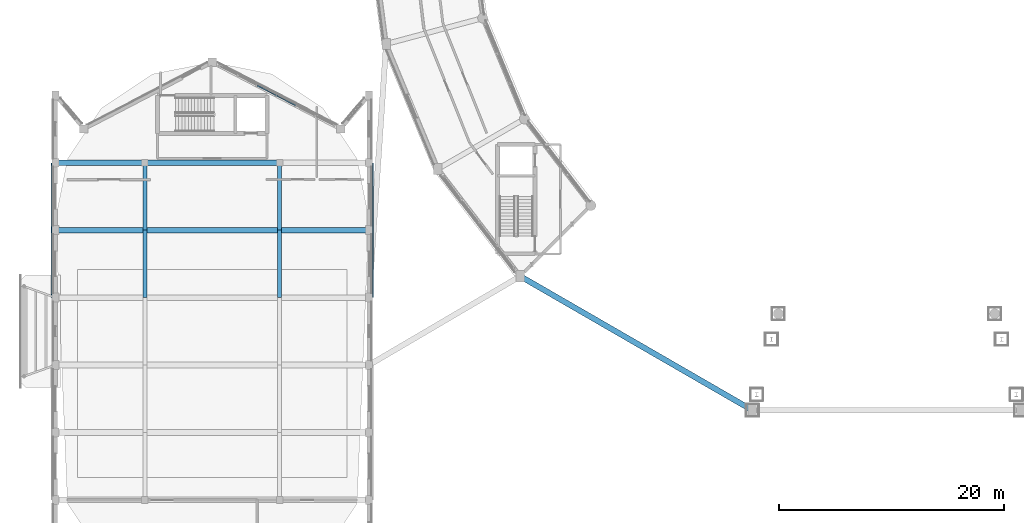
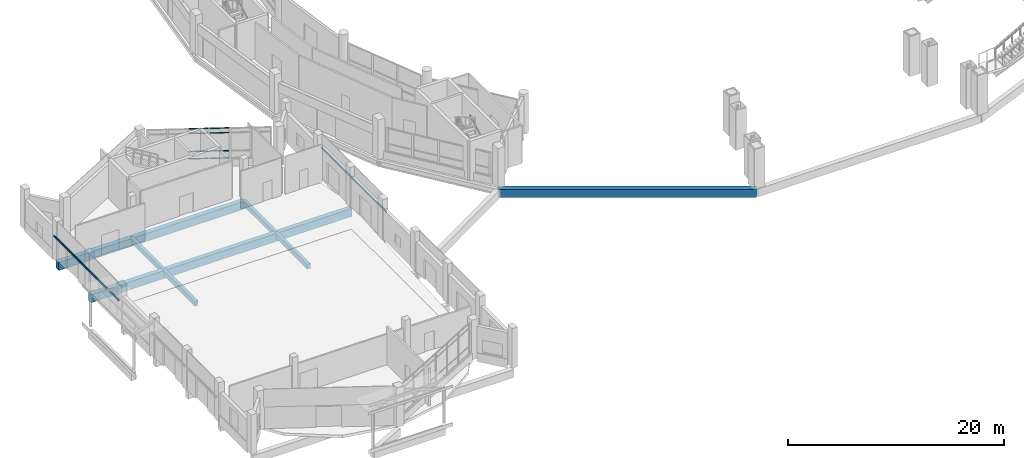
# One storey, part 23 of 129: 14 beams, 8 members, 1 element without a shape of its own.
"""IFC4 building model written with IfcOpenShell, lengths in metres."""

from ifc_helpers import new_model, si_unit, direction, frame, origin, origin_2d, place, context, subcontext, project, spatial, rectangle, hollow_rectangle, extrude, material, layer, layer_set, material_profile, profile_set, type_object, element, aggregate, save


model = new_model("IFC4")

# Units and contexts
model_context = context("Model", 3, precision=1e-05, world=origin(), true_north=direction((0.0, 1.0)))
body_context = subcontext(model_context, "Body", "Model", "MODEL_VIEW")
ifc_project = project(units=[si_unit("LENGTHUNIT", "METRE"), si_unit("AREAUNIT", "SQUARE_METRE"), si_unit("VOLUMEUNIT", "CUBIC_METRE"), si_unit("PLANEANGLEUNIT", "RADIAN"), si_unit("MASSUNIT", "GRAM", prefix="KILO")], contexts=[model_context])

# Site, building, storey
site_placement = place(None, origin())
site = spatial("IfcSite", under=ifc_project, at=site_placement, CompositionType="ELEMENT")
building_placement = place(site_placement, origin())
building = spatial("IfcBuilding", under=site, at=building_placement, Name="Vespera Passage Community Centre", CompositionType="ELEMENT")
storey_placement = place(building_placement, origin())
storey = spatial("IfcBuildingStorey", under=building, at=storey_placement, Name="L00", CompositionType="ELEMENT", Elevation=0.0)

# Beams
ifc_material_1 = material(Name="Concrete f'c 45 MPa", Category="concrete")
ifc_material_profile_1 = material_profile(ifc_material_1, rectangle(XDim=0.5, YDim=0.89990234375, at=origin_2d()), Name="RC500X900")
ifc_profile_set_1 = profile_set([ifc_material_profile_1], Name="Concrete f'c 45 MPa")
beam_type_1 = type_object("IfcBeamType", Name="BM-G-500X900", PredefinedType="BEAM", material=ifc_profile_set_1)
beam_1_placement = place(storey_placement, frame((4.050048828125, 37.0, -0.75), z_axis=(1.0, 0.0, 0.0), x_axis=(0.0, 1.0, 0.0)))
element("IfcBeam", 1, at=beam_1_placement, inside=storey, type_object=beam_type_1, Name="V1 L00 Floor Girder 6.1", PredefinedType="BEAM", context=body_context, shape_type="SweptSolid", body=[
    extrude(rectangle(XDim=0.5, YDim=0.89990234375, at=origin_2d()), origin(), (0.0, 0.0, 1.0), 7.949951171875),
])
beam_2_placement = place(storey_placement, frame((12.0, 37.0, -0.75), z_axis=(1.0, 0.0, 0.0), x_axis=(0.0, 1.0, 0.0)))
element("IfcBeam", 2, at=beam_2_placement, inside=storey, type_object=beam_type_1, Name="V1 L00 Floor Girder 6.2", PredefinedType="BEAM", context=body_context, shape_type="SweptSolid", body=[
    extrude(rectangle(XDim=0.5, YDim=0.89990234375, at=origin_2d()), origin(), (0.0, 0.0, 1.0), 12.0),
])
for number, where, z_axis, x_axis, name in (
    (3, (24.0, 37.0, -0.75), (1.0, 0.0, 0.0), (0.0, 1.0, 0.0), "V1 L00 Floor Girder 6.3"),
    (4, (4.050048828125, 43.0, -0.75), (1.0, 0.0, 0.0), (0.0, 1.0, 0.0), "V1 L00 Floor Girder 7.1"),
):
    element("IfcBeam", number, at=place(storey_placement, frame(where, z_axis=z_axis, x_axis=x_axis)), inside=storey, type_object=beam_type_1, Name=name, PredefinedType="BEAM", context=body_context, shape_type="SweptSolid", body=[
        extrude(rectangle(XDim=0.5, YDim=0.89990234375, at=origin_2d()), origin(), (0.0, 0.0, 1.0), 7.949951171875),
    ])
beam_3_placement = place(storey_placement, frame((12.0, 43.0, -0.75), z_axis=(1.0, 0.0, 0.0), x_axis=(0.0, 1.0, 0.0)))
element("IfcBeam", 5, at=beam_3_placement, inside=storey, type_object=beam_type_1, Name="V1 L00 Floor Girder 7.2", PredefinedType="BEAM", context=body_context, shape_type="SweptSolid", body=[
    extrude(rectangle(XDim=0.5, YDim=0.89990234375, at=origin_2d()), origin(), (0.0, 0.0, 1.0), 12.0),
])
beam_4_placement = place(storey_placement, frame((45.40234375, 32.90234375, -0.7900390625), z_axis=(0.866023390679, -0.500003486784, 0.0), x_axis=(0.500003486784, 0.866023390679, 0.0)))
element("IfcBeam", 6, at=beam_4_placement, inside=storey, type_object=beam_type_1, Name="Subgrade Structural Tie Girder 3", PredefinedType="BEAM", context=body_context, shape_type="SweptSolid", body=[
    extrude(rectangle(XDim=0.5, YDim=0.89990234375, at=origin_2d()), origin(), (0.0, 0.0, 1.0), 23.863037109375),
])
ifc_material_2 = material(Name="Concrete f'c 35 MPa", Category="concrete")
ifc_material_profile_2 = material_profile(ifc_material_2, rectangle(XDim=0.35009765625, YDim=0.550048828125, at=origin_2d()), Name="RC350X550")
ifc_profile_set_2 = profile_set([ifc_material_profile_2], Name="Concrete f'c 35 MPa")
beam_type_2 = type_object("IfcBeamType", Name="BM-J-350X550", PredefinedType="JOIST", material=ifc_profile_set_2)
for number, where, z_axis, x_axis, name in (
    (7, (12.0, 31.0, -0.574951171875), (0.0, 1.0, 0.0), (-1.0, 0.0, 0.0), "V1 L00 Spine Beam 1.4"),
    (8, (12.0, 37.0, -0.574951171875), (0.0, 1.0, 0.0), (-1.0, 0.0, 0.0), "V1 L00 Spine Beam 1.5"),
    (9, (24.0, 31.0, -0.574951171875), (0.0, 1.0, 0.0), (-1.0, 0.0, 0.0), "V1 L00 Spine Beam 2.4"),
    (10, (24.0, 37.0, -0.574951171875), (0.0, 1.0, 0.0), (-1.0, 0.0, 0.0), "V1 L00 Spine Beam 2.5"),
):
    element("IfcBeam", number, at=place(storey_placement, frame(where, z_axis=z_axis, x_axis=x_axis)), inside=storey, type_object=beam_type_2, Name=name, PredefinedType="JOIST", context=body_context, shape_type="SweptSolid", body=[
        extrude(rectangle(XDim=0.35009765625, YDim=0.550048828125, at=origin_2d()), origin(), (0.0, 0.0, 1.0), 6.0),
    ])
ifc_material_3 = material(Name="Steel ASTM A500 Grade C", Category="steel")
ifc_material_profile_3 = material_profile(ifc_material_3, hollow_rectangle(XDim=0.1015625, YDim=0.203125, WallThickness=0.0087890625, InnerFilletRadius=0.0087890625, OuterFilletRadius=0.017822265625, at=origin_2d()), Name="HSS203X102X9.5")
ifc_profile_set_3 = profile_set([ifc_material_profile_3], Name="Steel ASTM A500 Grade C")
beam_type_3 = type_object("IfcBeamType", Name="BM-LN-HSS203X102E", PredefinedType="LINTEL", material=ifc_profile_set_3)
for number, where, z_axis, x_axis, name in (
    (11, (3.699951171875, 31.0, 2.679931640625), (0.0, 1.0, 0.0), (-1.0, 0.0, 0.0), "Main Hall Exit Canopy Lintel W5"),
    (12, (32.300048828125, 37.0, 2.679931640625), (0.0, -1.0, 0.0), (1.0, 0.0, 0.0), "Main Hall Exit Canopy Lintel E5"),
    (13, (3.699951171875, 37.0, 2.679931640625), (0.0, 1.0, 0.0), (-1.0, 0.0, 0.0), "Main Hall Exit Canopy Lintel W6"),
    (14, (32.300048828125, 43.0, 2.679931640625), (0.0, -1.0, 0.0), (1.0, 0.0, 0.0), "Main Hall Exit Canopy Lintel E6"),
):
    element("IfcBeam", number, at=place(storey_placement, frame(where, z_axis=z_axis, x_axis=x_axis)), inside=storey, type_object=beam_type_3, Name=name, PredefinedType="LINTEL", context=body_context, shape_type="SweptSolid", body=[
        extrude(hollow_rectangle(XDim=0.1015625, YDim=0.203125, WallThickness=0.0087890625, InnerFilletRadius=0.0087890625, OuterFilletRadius=0.017822265625, at=origin_2d()), origin(), (0.0, 0.0, 1.0), 6.0),
    ])

# Curtain wall, members
ifc_material_4 = material(Name="Anodized aluminium 6063-T6", Category="aluminium")
ifc_layer = layer(ifc_material_4, 0.159912109375)
ifc_layer_set = layer_set([ifc_layer], Name="Anodized aluminium 6063-T6")
curtain_wall_type = type_object("IfcCurtainWallType", Name="CW-83E", PredefinedType="NOTDEFINED", material=ifc_layer_set)
curtain_wall_placement = place(storey_placement, origin())
curtain_wall = element("IfcCurtainWall", 15, at=curtain_wall_placement, inside=storey, type_object=curtain_wall_type, Name="V1 L00 N Apse Ribbon Curtain Wall 3", PredefinedType="NOTDEFINED")
ifc_material_5 = material(Name="Anodized aluminium 6063-T6", Category="aluminium")
ifc_material_profile_4 = material_profile(ifc_material_5, hollow_rectangle(XDim=0.06005859375, YDim=0.1201171875, WallThickness=0.00390625, InnerFilletRadius=0.001953125, OuterFilletRadius=0.00390625, at=origin_2d()), Name="ALU120X60X4")
ifc_profile_set_4 = profile_set([ifc_material_profile_4], Name="Anodized aluminium 6063-T6")
member_type = type_object("IfcMemberType", Name="MB-CWT-120E", PredefinedType="USERDEFINED", material=ifc_profile_set_4)
member_1_placement = place(storey_placement, frame((22.031005859375, 49.8515625, 0.830078125), z_axis=(0.887008197889, -0.461753675544, 0.0), x_axis=(0.461753675544, 0.887008197889, 0.0)))
member_1 = element("IfcMember", 16, at=member_1_placement, type_object=member_type, Name="CW-83E transom 3.1", ObjectType="TRANSOM", PredefinedType="USERDEFINED", context=body_context, shape_type="SweptSolid", body=[
    extrude(hollow_rectangle(XDim=0.06005859375, YDim=0.1201171875, WallThickness=0.00390625, InnerFilletRadius=0.001953125, OuterFilletRadius=0.00390625, at=origin_2d()), origin(), (0.0, 0.0, 1.0), 1.859619140625),
])
member_2_placement = place(storey_placement, frame((22.031005859375, 49.8515625, 1.64990234375), z_axis=(0.887008197889, -0.461753675544, 0.0), x_axis=(0.461753675544, 0.887008197889, 0.0)))
member_2 = element("IfcMember", 17, at=member_2_placement, type_object=member_type, Name="CW-83E transom 3.2", ObjectType="TRANSOM", PredefinedType="USERDEFINED", context=body_context, shape_type="SweptSolid", body=[
    extrude(hollow_rectangle(XDim=0.06005859375, YDim=0.1201171875, WallThickness=0.00390625, InnerFilletRadius=0.001953125, OuterFilletRadius=0.00390625, at=origin_2d()), origin(), (0.0, 0.0, 1.0), 1.859619140625),
])
member_3_placement = place(storey_placement, frame((22.031005859375, 49.8515625, 3.699951171875), z_axis=(0.887008197889, -0.461753675544, 0.0), x_axis=(0.461753675544, 0.887008197889, 0.0)))
member_3 = element("IfcMember", 18, at=member_3_placement, type_object=member_type, Name="CW-83E transom 3.3", ObjectType="TRANSOM", PredefinedType="USERDEFINED", context=body_context, shape_type="SweptSolid", body=[
    extrude(hollow_rectangle(XDim=0.06005859375, YDim=0.1201171875, WallThickness=0.00390625, InnerFilletRadius=0.001953125, OuterFilletRadius=0.00390625, at=origin_2d()), origin(), (0.0, 0.0, 1.0), 1.859619140625),
])
member_4_placement = place(storey_placement, frame((22.031005859375, 49.8515625, 4.219970703125), z_axis=(0.887008197889, -0.461753675544, 0.0), x_axis=(0.461753675544, 0.887008197889, 0.0)))
member_4 = element("IfcMember", 19, at=member_4_placement, type_object=member_type, Name="CW-83E transom 3.4", ObjectType="TRANSOM", PredefinedType="USERDEFINED", context=body_context, shape_type="SweptSolid", body=[
    extrude(hollow_rectangle(XDim=0.06005859375, YDim=0.1201171875, WallThickness=0.00390625, InnerFilletRadius=0.001953125, OuterFilletRadius=0.00390625, at=origin_2d()), origin(), (0.0, 0.0, 1.0), 1.859619140625),
])
member_5_placement = place(storey_placement, frame((23.746826171875, 48.95849609375, 0.830078125), z_axis=(0.887008197889, -0.461753675544, 0.0), x_axis=(0.461753675544, 0.887008197889, 0.0)))
member_5 = element("IfcMember", 20, at=member_5_placement, type_object=member_type, Name="CW-83E transom 4.1", ObjectType="TRANSOM", PredefinedType="USERDEFINED", context=body_context, shape_type="SweptSolid", body=[
    extrude(hollow_rectangle(XDim=0.06005859375, YDim=0.1201171875, WallThickness=0.00390625, InnerFilletRadius=0.001953125, OuterFilletRadius=0.00390625, at=origin_2d()), origin(), (0.0, 0.0, 1.0), 1.859619140625),
])
member_6_placement = place(storey_placement, frame((23.746826171875, 48.95849609375, 1.64990234375), z_axis=(0.887008197889, -0.461753675544, 0.0), x_axis=(0.461753675544, 0.887008197889, 0.0)))
member_6 = element("IfcMember", 21, at=member_6_placement, type_object=member_type, Name="CW-83E transom 4.2", ObjectType="TRANSOM", PredefinedType="USERDEFINED", context=body_context, shape_type="SweptSolid", body=[
    extrude(hollow_rectangle(XDim=0.06005859375, YDim=0.1201171875, WallThickness=0.00390625, InnerFilletRadius=0.001953125, OuterFilletRadius=0.00390625, at=origin_2d()), origin(), (0.0, 0.0, 1.0), 1.859619140625),
])
member_7_placement = place(storey_placement, frame((23.746826171875, 48.95849609375, 3.699951171875), z_axis=(0.887008197889, -0.461753675544, 0.0), x_axis=(0.461753675544, 0.887008197889, 0.0)))
member_7 = element("IfcMember", 22, at=member_7_placement, type_object=member_type, Name="CW-83E transom 4.3", ObjectType="TRANSOM", PredefinedType="USERDEFINED", context=body_context, shape_type="SweptSolid", body=[
    extrude(hollow_rectangle(XDim=0.06005859375, YDim=0.1201171875, WallThickness=0.00390625, InnerFilletRadius=0.001953125, OuterFilletRadius=0.00390625, at=origin_2d()), origin(), (0.0, 0.0, 1.0), 1.859619140625),
])
member_8_placement = place(storey_placement, frame((23.746826171875, 48.95849609375, 4.219970703125), z_axis=(0.887008197889, -0.461753675544, 0.0), x_axis=(0.461753675544, 0.887008197889, 0.0)))
member_8 = element("IfcMember", 23, at=member_8_placement, type_object=member_type, Name="CW-83E transom 4.4", ObjectType="TRANSOM", PredefinedType="USERDEFINED", context=body_context, shape_type="SweptSolid", body=[
    extrude(hollow_rectangle(XDim=0.06005859375, YDim=0.1201171875, WallThickness=0.00390625, InnerFilletRadius=0.001953125, OuterFilletRadius=0.00390625, at=origin_2d()), origin(), (0.0, 0.0, 1.0), 1.859619140625),
])
aggregate(curtain_wall, [member_1, member_2, member_3, member_4, member_5, member_6, member_7, member_8])

save(model, "model.ifc")
